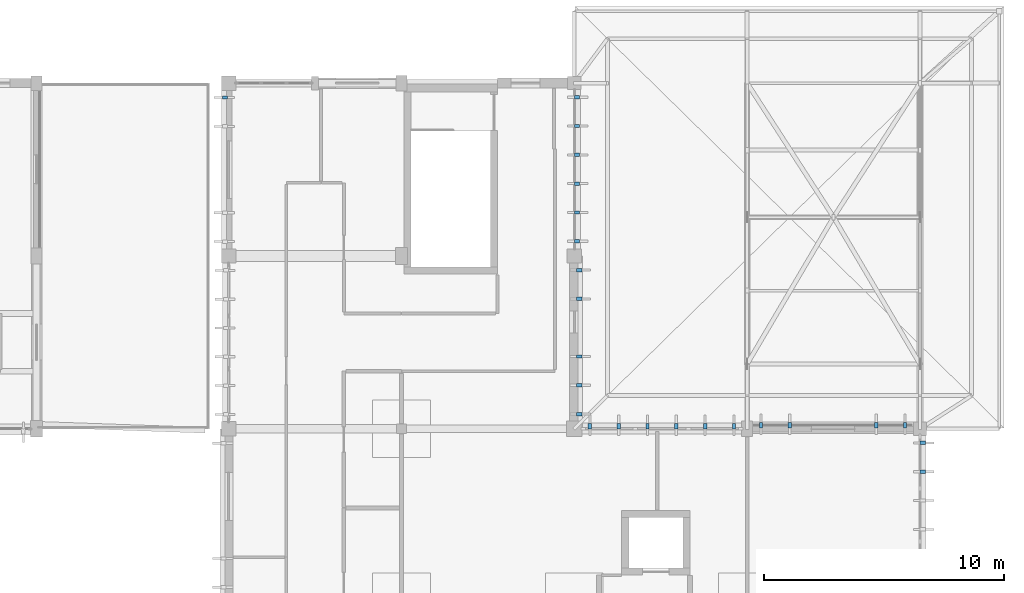
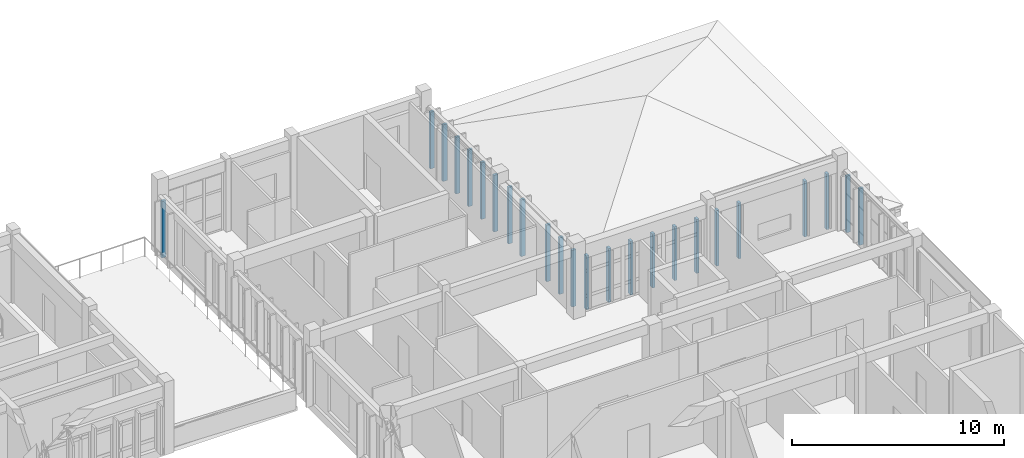
# One storey, part 43 of 51: 24 discrete accessories.
"""IFC4 building model written with IfcOpenShell, lengths in metres."""

from ifc_helpers import new_model, si_unit, direction, frame, origin, origin_2d, place, context, subcontext, project, spatial, rectangle, extrude, material, type_object, element, save


model = new_model("IFC4")

# Units and contexts
model_context = context("Model", 3, precision=1e-05, world=origin(), true_north=direction((0.0, 1.0)))
body_context = subcontext(model_context, "Body", "Model", "MODEL_VIEW")
ifc_project = project(units=[si_unit("LENGTHUNIT", "METRE"), si_unit("AREAUNIT", "SQUARE_METRE"), si_unit("VOLUMEUNIT", "CUBIC_METRE"), si_unit("PLANEANGLEUNIT", "RADIAN"), si_unit("MASSUNIT", "GRAM", prefix="KILO")], contexts=[model_context])

# Site, building, storey
site_placement = place(None, origin())
site = spatial("IfcSite", under=ifc_project, at=site_placement, CompositionType="ELEMENT")
building_placement = place(site_placement, origin())
building = spatial("IfcBuilding", under=site, at=building_placement, Name="Steenspoor Specialist Clinic", CompositionType="ELEMENT")
storey_placement = place(building_placement, frame((0.0, 0.0, 17.39990234375)))
storey = spatial("IfcBuildingStorey", under=building, at=storey_placement, Name="L04", CompositionType="ELEMENT", Elevation=17.39990234375)

# Discrete accessories
ifc_material = material(Name="Galvanised steel mounting bracket", Category="steel")
discrete_accessory_type = type_object("IfcDiscreteAccessoryType", Name="ACC-BRACKET-FIN", PredefinedType="BRACKET", material=ifc_material)
for number, where, z_axis, x_axis, name in (
    (1, (146.909912109375, 93.362548828125, 0.050048828125), (0.0, 0.0, 1.0), (1.0, 0.0, 0.0), "Timber Screen Bracket 238"),
    (2, (146.909912109375, 92.16259765625, 0.050048828125), (0.0, 0.0, 1.0), (1.0, 0.0, 0.0), "Timber Screen Bracket 239"),
    (3, (117.85009765625, 107.75, 0.050048828125), (0.0, 0.0, 1.0), (-1.0, 0.0, 0.0), "Timber Screen Bracket 281"),
    (4, (132.510009765625, 107.762451171875, 0.050048828125), (0.0, 0.0, 1.0), (1.0, 0.0, 0.0), "Timber Screen Bracket 284"),
    (5, (132.510009765625, 106.5625, 0.050048828125), (0.0, 0.0, 1.0), (1.0, 0.0, 0.0), "Timber Screen Bracket 285"),
    (6, (132.510009765625, 105.362548828125, 0.050048828125), (0.0, 0.0, 1.0), (1.0, 0.0, 0.0), "Timber Screen Bracket 286"),
    (7, (132.510009765625, 104.16259765625, 0.050048828125), (0.0, 0.0, 1.0), (1.0, 0.0, 0.0), "Timber Screen Bracket 287"),
    (8, (132.510009765625, 102.96240234375, 0.050048828125), (0.0, 0.0, 1.0), (1.0, 0.0, 0.0), "Timber Screen Bracket 288"),
    (9, (132.510009765625, 101.762451171875, 0.050048828125), (0.0, 0.0, 1.0), (1.0, 0.0, 0.0), "Timber Screen Bracket 289"),
    (10, (132.610107421875, 100.5625, 0.050048828125), (0.0, 0.0, 1.0), (1.0, 0.0, 0.0), "Timber Screen Bracket 292"),
    (11, (132.610107421875, 99.362548828125, 0.050048828125), (0.0, 0.0, 1.0), (1.0, 0.0, 0.0), "Timber Screen Bracket 293"),
    (12, (132.610107421875, 96.96240234375, 0.050048828125), (0.0, 0.0, 1.0), (1.0, 0.0, 0.0), "Timber Screen Bracket 294"),
    (13, (132.610107421875, 95.762451171875, 0.050048828125), (0.0, 0.0, 1.0), (1.0, 0.0, 0.0), "Timber Screen Bracket 295"),
    (14, (132.610107421875, 94.5625, 0.050048828125), (0.0, 0.0, 1.0), (1.0, 0.0, 0.0), "Timber Screen Bracket 296"),
):
    element("IfcDiscreteAccessory", number, at=place(storey_placement, frame(where, z_axis=z_axis, x_axis=x_axis)), inside=storey, type_object=discrete_accessory_type, Name=name, PredefinedType="BRACKET", context=body_context, shape_type="SweptSolid", body=[
        extrude(rectangle(XDim=0.219970703125, YDim=0.139892578125, at=origin_2d()), origin(), (0.0, 0.0, 1.0), 3.27001953125),
    ])
for number, where, z_axis, x_axis, name in (
    (15, (133.050048828125, 94.06005859375, 0.0498046875), (0.0, 0.0, 1.0), (0.0, 1.0, 0.0), "Timber Screen Bracket 299"),
    (16, (134.25, 94.06005859375, 0.0498046875), (0.0, 0.0, 1.0), (0.0, 1.0, 0.0), "Timber Screen Bracket 300"),
    (17, (135.449951171875, 94.06005859375, 0.0498046875), (0.0, 0.0, 1.0), (0.0, 1.0, 0.0), "Timber Screen Bracket 301"),
    (18, (136.64990234375, 94.06005859375, 0.0498046875), (0.0, 0.0, 1.0), (0.0, 1.0, 0.0), "Timber Screen Bracket 302"),
    (19, (137.85009765625, 94.06005859375, 0.0498046875), (0.0, 0.0, 1.0), (0.0, 1.0, 0.0), "Timber Screen Bracket 303"),
    (20, (139.050048828125, 94.06005859375, 0.0498046875), (0.0, 0.0, 1.0), (0.0, 1.0, 0.0), "Timber Screen Bracket 304"),
):
    element("IfcDiscreteAccessory", number, at=place(storey_placement, frame(where, z_axis=z_axis, x_axis=x_axis)), inside=storey, type_object=discrete_accessory_type, Name=name, PredefinedType="BRACKET", context=body_context, shape_type="SweptSolid", body=[
        extrude(rectangle(XDim=0.219970703125, YDim=0.139892578125, at=origin_2d()), origin(), (0.0, 0.0, 1.0), 3.110107421875),
    ])
for number, where, z_axis, x_axis, name in (
    (21, (140.175048828125, 94.10009765625, 0.050048828125), (0.0, 0.0, 1.0), (0.0, 1.0, 0.0), "Timber Screen Bracket 307"),
    (22, (141.375, 94.10009765625, 0.050048828125), (0.0, 0.0, 1.0), (0.0, 1.0, 0.0), "Timber Screen Bracket 308"),
    (23, (144.97509765625, 94.10009765625, 0.050048828125), (0.0, 0.0, 1.0), (0.0, 1.0, 0.0), "Timber Screen Bracket 309"),
    (24, (146.175048828125, 94.10009765625, 0.050048828125), (0.0, 0.0, 1.0), (0.0, 1.0, 0.0), "Timber Screen Bracket 310"),
):
    element("IfcDiscreteAccessory", number, at=place(storey_placement, frame(where, z_axis=z_axis, x_axis=x_axis)), inside=storey, type_object=discrete_accessory_type, Name=name, PredefinedType="BRACKET", context=body_context, shape_type="SweptSolid", body=[
        extrude(rectangle(XDim=0.219970703125, YDim=0.139892578125, at=origin_2d()), origin(), (0.0, 0.0, 1.0), 3.2099609375),
    ])

save(model, "model.ifc")
